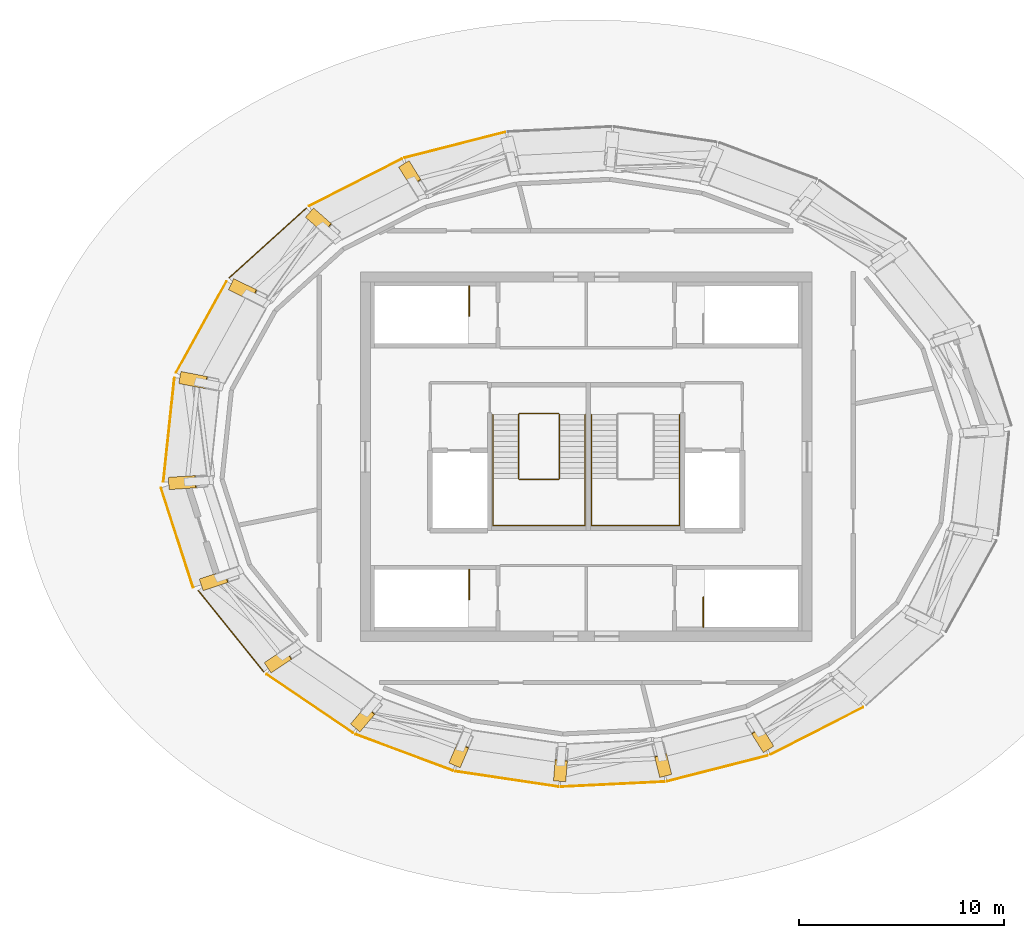
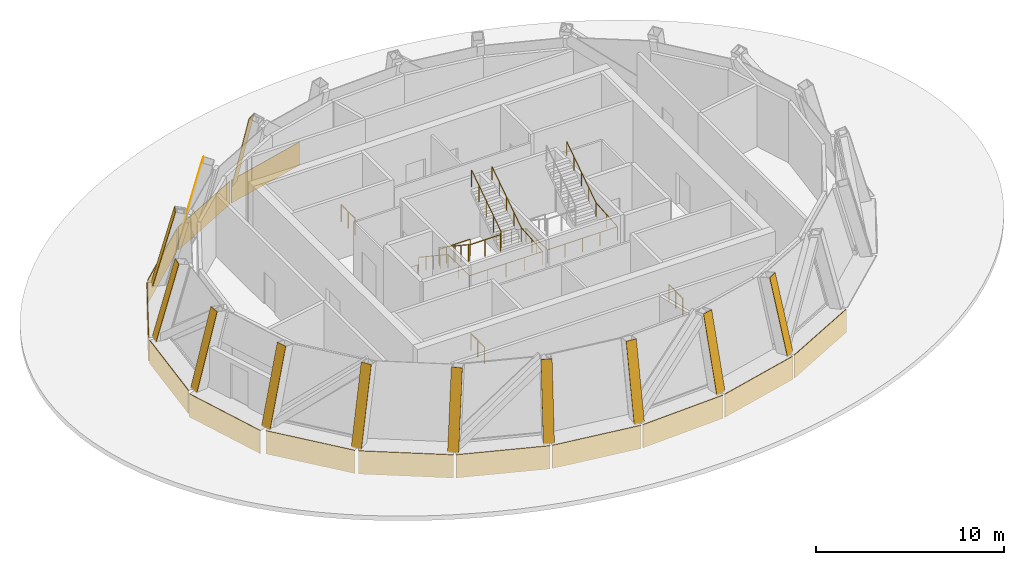
# One storey, part 8 of 9: 25 coverings, 6 railings.
"""IFC4 building model written with IfcOpenShell, lengths in metres."""

import ifcopenshell
import ifcopenshell.guid

model = None  # the IFC model being written
_history = None  # IfcOwnerHistory: only IFC2X3 demands one
_inside = {}  # id of a spatial element -> (the spatial element, [elements in it])
_under = {}  # id of a project, library or spatial element -> (it, [spatial elements below it])
_declared = {}  # id of a project -> (the project, [libraries it declares])
_typed = {}  # id of a type object -> (the type object, [elements of that type])
_made_of = {}  # id of a material, layer set ... -> (it, [elements and type objects made of it])


def new_model(schema):
    """Start an empty IFC model of exactly this schema.

    Asked for "IFC4X3", IfcOpenShell would pick the latest addendum, in which some entities
    have other attributes; the version numbers below select the first issue.
    IFC2X3 requires an IfcOwnerHistory on every rooted entity: one is made here for all.
    """
    global model, _history
    if schema == "IFC4X3":
        model = ifcopenshell.file(schema_version=(4, 3, 0, 0))
    else:
        model = ifcopenshell.file(schema=schema)
    _inside.clear()
    _under.clear()
    _declared.clear()
    _typed.clear()
    _made_of.clear()
    _history = None
    if model.schema == "IFC2X3":
        org = make("IfcOrganization", Name="unknown")
        user = make(
            "IfcPersonAndOrganization",
            ThePerson=make("IfcPerson", FamilyName="unknown"),
            TheOrganization=org,
        )
        app = make(
            "IfcApplication",
            ApplicationDeveloper=org,
            Version="unknown",
            ApplicationFullName="unknown",
            ApplicationIdentifier="unknown",
        )
        _history = make(
            "IfcOwnerHistory",
            OwningUser=user,
            OwningApplication=app,
            ChangeAction="ADDED",
            CreationDate=0,
        )
    return model


def make(cls, **values):
    """One entity of the class cls with the attributes given. An attribute that is None is left unset."""
    return model.create_entity(
        cls, **{name: value for name, value in values.items() if value is not None}
    )


def rooted(cls, **values):
    """An entity with a GlobalId (a new one), such as an element, a storey or a relation."""
    return make(cls, GlobalId=ifcopenshell.guid.new(), OwnerHistory=_history, **values)


def si_unit(unit_type, name, prefix=None):
    """IfcSIUnit, for example si_unit("LENGTHUNIT", "METRE", prefix="MILLI")."""
    return make("IfcSIUnit", UnitType=unit_type, Prefix=prefix, Name=name)


def assignment(units):
    """IfcUnitAssignment: the units of a project."""
    return None if units is None else make("IfcUnitAssignment", Units=units)


def point(xyz):
    """IfcCartesianPoint."""
    return None if xyz is None else make("IfcCartesianPoint", Coordinates=xyz)


def direction(xyz):
    """IfcDirection."""
    return None if xyz is None else make("IfcDirection", DirectionRatios=xyz)


def frame(location, z_axis=None, x_axis=None):
    """IfcAxis2Placement3D, a coordinate frame: its origin and axes. An axis left out is left unset."""
    return make(
        "IfcAxis2Placement3D",
        Location=point(location),
        Axis=direction(z_axis),
        RefDirection=direction(x_axis),
    )


def frame_2d(location, x_axis=None):
    """IfcAxis2Placement2D, a coordinate frame in the plane: its origin and x axis."""
    return make(
        "IfcAxis2Placement2D", Location=point(location), RefDirection=direction(x_axis)
    )


def origin():
    """The frame at (0, 0, 0) with its axes left unset."""
    return frame((0.0, 0.0, 0.0))


def origin_2d():
    """The frame at (0, 0) in the plane with its x axis left unset."""
    return frame_2d((0.0, 0.0))


def place(relative_to, where):
    """IfcLocalPlacement: puts the frame where relative to a parent placement (None: the world)."""
    return make(
        "IfcLocalPlacement", PlacementRelTo=relative_to, RelativePlacement=where
    )


def context(
    kind, dimensions, precision=None, world=None, true_north=None, identifier=None
):
    """IfcGeometricRepresentationContext, for example the 3D "Model" context."""
    return make(
        "IfcGeometricRepresentationContext",
        ContextIdentifier=identifier,
        ContextType=kind,
        CoordinateSpaceDimension=dimensions,
        Precision=precision,
        WorldCoordinateSystem=world,
        TrueNorth=true_north,
    )


def subcontext(parent, identifier, kind, view, scale=None):
    """IfcGeometricRepresentationSubContext, for example "Body" below "Model"."""
    return make(
        "IfcGeometricRepresentationSubContext",
        ContextIdentifier=identifier,
        ContextType=kind,
        ParentContext=parent,
        TargetScale=scale,
        TargetView=view,
    )


def project(units=None, contexts=None):
    """IfcProject with its units and contexts."""
    return rooted(
        "IfcProject",
        Name="project",
        RepresentationContexts=contexts,
        UnitsInContext=assignment(units),
    )


def spatial(cls, under=None, at=None, **own):
    """A site, building, storey or space (cls), placed at a placement, below another one or the project."""
    s = rooted(cls, ObjectPlacement=at, **own)
    if under is not None:
        _under.setdefault(under.id(), (under, []))[1].append(s)
    return s


def polyline(points):
    """IfcPolyline through the points."""
    return make("IfcPolyline", Points=[point(p) for p in points])


def profile(cls, at=None, kind="AREA", **sizes):
    """A parametric profile (cls). Its sizes go by their IFC names, for example OverallWidth=200.0."""
    return make(cls, ProfileType=kind, Position=at, **sizes)


def rectangle(**sizes):
    """IfcRectangleProfileDef."""
    return profile("IfcRectangleProfileDef", **sizes)


def circle(**sizes):
    """IfcCircleProfileDef."""
    return profile("IfcCircleProfileDef", **sizes)


def outline(outer, holes=None, kind="AREA"):
    """IfcArbitraryClosedProfileDef: a profile drawn as a closed curve; with holes, ...WithVoids."""
    if holes is None:
        return make("IfcArbitraryClosedProfileDef", ProfileType=kind, OuterCurve=outer)
    return make(
        "IfcArbitraryProfileDefWithVoids",
        ProfileType=kind,
        OuterCurve=outer,
        InnerCurves=holes,
    )


def extrude(swept, where, along, depth):
    """IfcExtrudedAreaSolid: the profile swept, set in the frame where, extruded along a direction by depth."""
    return make(
        "IfcExtrudedAreaSolid",
        SweptArea=swept,
        Position=where,
        ExtrudedDirection=direction(along),
        Depth=depth,
    )


def shape(context_of_items, identifier, shape_type, items):
    """IfcShapeRepresentation: the items that make up one representation, for example the "Body"."""
    return make(
        "IfcShapeRepresentation",
        ContextOfItems=context_of_items,
        RepresentationIdentifier=identifier,
        RepresentationType=shape_type,
        Items=items,
    )


def source(mapping_origin, context_of_items, identifier, shape_type, items):
    """IfcRepresentationMap: a shape defined once, which mapped items show again and again."""
    return make(
        "IfcRepresentationMap",
        MappingOrigin=mapping_origin,
        MappedRepresentation=shape(context_of_items, identifier, shape_type, items),
    )


def transform(
    local_origin,
    x_axis=None,
    y_axis=None,
    z_axis=None,
    scale=None,
    scale2=None,
    scale3=None,
    uniform=True,
):
    """IfcCartesianTransformationOperator3D, or its non-uniform kind. x_axis, y_axis, z_axis: its Axis1, 2, 3."""
    if uniform:
        return make(
            "IfcCartesianTransformationOperator3D",
            Axis1=direction(x_axis),
            Axis2=direction(y_axis),
            LocalOrigin=point(local_origin),
            Scale=scale,
            Axis3=direction(z_axis),
        )
    return make(
        "IfcCartesianTransformationOperator3DnonUniform",
        Axis1=direction(x_axis),
        Axis2=direction(y_axis),
        LocalOrigin=point(local_origin),
        Scale=scale,
        Axis3=direction(z_axis),
        Scale2=scale2,
        Scale3=scale3,
    )


def mapped(mapping_source, mapping_target):
    """IfcMappedItem: shows the shape of a source again, moved by a transform."""
    return make(
        "IfcMappedItem", MappingSource=mapping_source, MappingTarget=mapping_target
    )


def material(Name=None, Category=None):
    """IfcMaterial."""
    return make("IfcMaterial", Name=Name, Category=Category)


def layer(
    of_material, thickness, ventilated=None, Name=None, Category=None, Priority=None
):
    """IfcMaterialLayer: one layer of a wall or slab, of a material (None: an air gap)."""
    return make(
        "IfcMaterialLayer",
        Material=of_material,
        LayerThickness=thickness,
        IsVentilated=ventilated,
        Name=Name,
        Category=Category,
        Priority=Priority,
    )


def layer_set(layers, Name=None):
    """IfcMaterialLayerSet."""
    return make("IfcMaterialLayerSet", MaterialLayers=layers, LayerSetName=Name)


def made_of(thing, what):
    """Note that an element or type object is made of a material, layer set ...; save() writes the relation."""
    if what is not None:
        _made_of.setdefault(what.id(), (what, []))[1].append(thing)
    return thing


def type_object(cls, material=None, **own):
    """A type object (cls), such as IfcWallType, which elements share."""
    return made_of(rooted(cls, **own), material)


def element(
    cls,
    number,
    at=None,
    inside=None,
    cuts=None,
    type_object=None,
    material=None,
    context=None,
    identifier="Body",
    shape_type=None,
    held_by="IfcProductDefinitionShape",
    body=None,
    shapes=None,
    **own,
):
    """One element of the class cls, such as IfcWall. Its Tag is "e" and its number.

    at: its placement. inside: the storey or other place that contains it. cuts: it is an
    opening in that element (IfcRelVoidsElement). A single representation is given by context,
    identifier, shape_type and body (its items); several are given by shapes. held_by: the class
    of the entity that holds the representations. save() writes the other relations.
    """
    e = rooted(cls, Tag="e%d" % number, ObjectPlacement=at, **own)
    if body is not None:
        shapes = [shape(context, identifier, shape_type, body)]
    if shapes is not None:
        e.Representation = make(held_by, Representations=shapes)
    if inside is not None:
        _inside.setdefault(inside.id(), (inside, []))[1].append(e)
    if cuts is not None:
        rooted(
            "IfcRelVoidsElement", RelatingBuildingElement=cuts, RelatedOpeningElement=e
        )
    if type_object is not None:
        _typed.setdefault(type_object.id(), (type_object, []))[1].append(e)
    return made_of(e, material)


def aggregate(whole, parts):
    """IfcRelAggregates: a whole, such as a stair, and the parts it consists of."""
    return rooted("IfcRelAggregates", RelatingObject=whole, RelatedObjects=parts)


def save(model, path):
    """Write the relations noted so far, then the file.

    IfcRelAggregates (storeys below a building ...), IfcRelContainedInSpatialStructure (elements
    in a storey), IfcRelDefinesByType, IfcRelAssociatesMaterial and IfcRelDeclares: one each for
    every whole, place, type object, material and project.
    """
    for whole, parts in _under.values():
        aggregate(whole, parts)
    for where, things in _inside.values():
        rooted(
            "IfcRelContainedInSpatialStructure",
            RelatedElements=things,
            RelatingStructure=where,
        )
    for kind, things in _typed.values():
        rooted("IfcRelDefinesByType", RelatedObjects=things, RelatingType=kind)
    for what, things in _made_of.values():
        rooted("IfcRelAssociatesMaterial", RelatedObjects=things, RelatingMaterial=what)
    for by, libraries in _declared.values():
        rooted("IfcRelDeclares", RelatingContext=by, RelatedDefinitions=libraries)
    model.write(path)


model = new_model("IFC4")

# Units and contexts
model_context = context("Model", 3, precision=1e-05, world=origin(), true_north=direction((0.0, 1.0)))
body_context = subcontext(model_context, "Body", "Model", "MODEL_VIEW")
ifc_project = project(units=[si_unit("LENGTHUNIT", "METRE"), si_unit("AREAUNIT", "SQUARE_METRE"), si_unit("VOLUMEUNIT", "CUBIC_METRE"), si_unit("PLANEANGLEUNIT", "RADIAN"), si_unit("MASSUNIT", "GRAM", prefix="KILO")], contexts=[model_context])

# Site, building, storey
site_placement = place(None, origin())
site = spatial("IfcSite", under=ifc_project, at=site_placement, CompositionType="ELEMENT")
building_placement = place(site_placement, origin())
building = spatial("IfcBuilding", under=site, at=building_placement, Name="Embergate Tower", CompositionType="ELEMENT")
storey_placement = place(building_placement, frame((0.0, 0.0, 352.0)))
storey = spatial("IfcBuildingStorey", under=building, at=storey_placement, Name="L80", CompositionType="ELEMENT", Elevation=352.0)

# Coverings
ifc_material_1 = material(Name="Terracotta rainscreen on insulated backing", Category="masonry")
ifc_layer_1 = layer(ifc_material_1, 0.0400390625)
ifc_layer_set_1 = layer_set([ifc_layer_1], Name="Terracotta rainscreen on insulated backing")
covering_type_1 = type_object("IfcCoveringType", Name="Terracotta rainscreen band", PredefinedType="CLADDING", material=ifc_layer_set_1)
shared_shape_1 = source(origin(), body_context, "Body", "SweptSolid", [
    extrude(rectangle(XDim=5.09375, YDim=0.0400390625, at=origin_2d()), origin(), (0.0, 0.0, 1.0), 1.5),
])
covering_1_placement = place(storey_placement, frame((-19.922119140625, -3.942138671875, -1.5), z_axis=(0.0, 0.0, 1.0), x_axis=(0.307437998108, -0.951568114913, 0.0)))
element("IfcCovering", 1, at=covering_1_placement, inside=storey, type_object=covering_type_1, Name="Crown band 12", PredefinedType="CLADDING", context=body_context, shape_type="MappedRepresentation", body=[
    mapped(shared_shape_1, transform((0.0, 0.0, 0.0))),
])
shared_shape_2 = source(origin(), body_context, "Body", "SweptSolid", [
    extrude(rectangle(XDim=5.083740234375, YDim=0.0400390625, at=origin_2d()), origin(), (0.0, 0.0, 1.0), 1.5),
])
covering_2_placement = place(storey_placement, frame((-17.291259765625, -8.49609375, -1.5), z_axis=(0.0, 0.0, 1.0), x_axis=(0.62828627661, -0.777982232846, 0.0)))
element("IfcCovering", 2, at=covering_2_placement, inside=storey, type_object=covering_type_1, Name="Crown band 13", PredefinedType="CLADDING", context=body_context, shape_type="MappedRepresentation", body=[
    mapped(shared_shape_2, transform((0.0, 0.0, 0.0))),
])
shared_shape_3 = source(origin(), body_context, "Body", "SweptSolid", [
    extrude(rectangle(XDim=5.0732421875, YDim=0.0400390625, at=origin_2d()), origin(), (0.0, 0.0, 1.0), 1.5),
])
covering_3_placement = place(storey_placement, frame((-13.463134765625, -12.023193359375, -1.5), z_axis=(0.0, 0.0, 1.0), x_axis=(0.826890208879, -0.562363390043, 0.0)))
element("IfcCovering", 3, at=covering_3_placement, inside=storey, type_object=covering_type_1, Name="Crown band 14", PredefinedType="CLADDING", context=body_context, shape_type="MappedRepresentation", body=[
    mapped(shared_shape_3, transform((0.0, 0.0, 0.0))),
])
shared_shape_4 = source(origin(), body_context, "Body", "SweptSolid", [
    extrude(rectangle(XDim=5.064453125, YDim=0.0400390625, at=origin_2d()), origin(), (0.0, 0.0, 1.0), 1.5),
])
covering_4_placement = place(storey_placement, frame((-8.861083984375, -14.40283203125, -1.5), z_axis=(0.0, 0.0, 1.0), x_axis=(0.936936583117, -0.349499412327, 0.0)))
element("IfcCovering", 4, at=covering_4_placement, inside=storey, type_object=covering_type_1, Name="Crown band 15", PredefinedType="CLADDING", context=body_context, shape_type="MappedRepresentation", body=[
    mapped(shared_shape_4, transform((0.0, 0.0, 0.0))),
])
shared_shape_5 = source(origin(), body_context, "Body", "SweptSolid", [
    extrude(rectangle(XDim=5.061279296875, YDim=0.0400390625, at=origin_2d()), origin(), (0.0, 0.0, 1.0), 1.5),
])
covering_5_placement = place(storey_placement, frame((-3.8603515625, -15.693115234375, -1.5), z_axis=(0.0, 0.0, 1.0), x_axis=(0.989077948107, -0.147393393912, 0.0)))
element("IfcCovering", 5, at=covering_5_placement, inside=storey, type_object=covering_type_1, Name="Crown band 16", PredefinedType="CLADDING", context=body_context, shape_type="MappedRepresentation", body=[
    mapped(shared_shape_5, transform((0.0, 0.0, 0.0))),
])
shared_shape_6 = source(origin(), body_context, "Body", "SweptSolid", [
    extrude(rectangle(XDim=5.05908203125, YDim=0.0400390625, at=origin_2d()), origin(), (0.0, 0.0, 1.0), 1.5),
])
covering_6_placement = place(storey_placement, frame((1.291015625, -15.9482421875, -1.5), z_axis=(0.0, 0.0, 1.0), x_axis=(0.998797767356, 0.049020607146, 0.0)))
element("IfcCovering", 6, at=covering_6_placement, inside=storey, type_object=covering_type_1, Name="Crown band 17", PredefinedType="CLADDING", context=body_context, shape_type="MappedRepresentation", body=[
    mapped(shared_shape_6, transform((0.0, 0.0, 0.0))),
])
shared_shape_7 = source(origin(), body_context, "Body", "SweptSolid", [
    extrude(rectangle(XDim=5.062255859375, YDim=0.0400390625, at=origin_2d()), origin(), (0.0, 0.0, 1.0), 1.5),
])
for number, where, z_axis, x_axis, name in (
    (7, (-6.392822265625, 15.1796875, -1.5), (0.0, 0.0, 1.0), (-0.968933770154, -0.247320336921, 0.0), "Crown band 7"),
    (8, (6.392822265625, -15.1796875, -1.5), (0.0, 0.0, 1.0), (0.968933770154, 0.247320336921, 0.0), "Crown band 18"),
):
    element("IfcCovering", number, at=place(storey_placement, frame(where, z_axis=z_axis, x_axis=x_axis)), inside=storey, type_object=covering_type_1, Name=name, PredefinedType="CLADDING", context=body_context, shape_type="MappedRepresentation", body=[
        mapped(shared_shape_7, transform((0.0, 0.0, 0.0))),
    ])
shared_shape_8 = source(origin(), body_context, "Body", "SweptSolid", [
    extrude(rectangle(XDim=5.06884765625, YDim=0.0400390625, at=origin_2d()), origin(), (0.0, 0.0, 1.0), 1.5),
])
for number, where, z_axis, x_axis, name in (
    (9, (-11.231201171875, 13.353271484375, -1.5), (0.0, 0.0, 1.0), (-0.890727444318, -0.454537809142, 0.0), "Crown band 8"),
    (10, (11.231201171875, -13.353271484375, -1.5), (0.0, 0.0, 1.0), (0.890727444318, 0.454537809142, 0.0), "Crown band 19"),
):
    element("IfcCovering", number, at=place(storey_placement, frame(where, z_axis=z_axis, x_axis=x_axis)), inside=storey, type_object=covering_type_1, Name=name, PredefinedType="CLADDING", context=body_context, shape_type="MappedRepresentation", body=[
        mapped(shared_shape_8, transform((0.0, 0.0, 0.0))),
    ])
shared_shape_9 = source(origin(), body_context, "Body", "SweptSolid", [
    extrude(rectangle(XDim=5.078369140625, YDim=0.0400390625, at=origin_2d()), origin(), (0.0, 0.0, 1.0), 1.5),
])
covering_7_placement = place(storey_placement, frame((-15.505126953125, 10.404052734375, -1.5), z_axis=(0.0, 0.0, 1.0), x_axis=(-0.741194871554, -0.671289924237, 0.0)))
element("IfcCovering", 11, at=covering_7_placement, inside=storey, type_object=covering_type_1, Name="Crown band 9", PredefinedType="CLADDING", context=body_context, shape_type="MappedRepresentation", body=[
    mapped(shared_shape_9, transform((0.0, 0.0, 0.0))),
])
shared_shape_10 = source(origin(), body_context, "Body", "SweptSolid", [
    extrude(rectangle(XDim=5.089111328125, YDim=0.0400390625, at=origin_2d()), origin(), (0.0, 0.0, 1.0), 1.5),
])
covering_8_placement = place(storey_placement, frame((-18.74462890625, 6.31298828125, -1.5), z_axis=(0.0, 0.0, 1.0), x_axis=(-0.483772786988, -0.87519363033, 0.0)))
element("IfcCovering", 12, at=covering_8_placement, inside=storey, type_object=covering_type_1, Name="Crown band 10", PredefinedType="CLADDING", context=body_context, shape_type="MappedRepresentation", body=[
    mapped(shared_shape_10, transform((0.0, 0.0, 0.0))),
])
shared_shape_11 = source(origin(), body_context, "Body", "SweptSolid", [
    extrude(rectangle(XDim=5.0966796875, YDim=0.0400390625, at=origin_2d()), origin(), (0.0, 0.0, 1.0), 1.5),
])
covering_9_placement = place(storey_placement, frame((-20.319091796875, 1.317626953125, -1.5), z_axis=(0.0, 0.0, 1.0), x_axis=(-0.105757307005, -0.994391971013, 0.0)))
element("IfcCovering", 13, at=covering_9_placement, inside=storey, type_object=covering_type_1, Name="Crown band 11", PredefinedType="CLADDING", context=body_context, shape_type="MappedRepresentation", body=[
    mapped(shared_shape_11, transform((0.0, 0.0, 0.0))),
])
ifc_material_2 = material(Name="Terracotta, extruded and fired", Category="masonry")
ifc_layer_2 = layer(ifc_material_2, 0.030029296875)
ifc_layer_set_2 = layer_set([ifc_layer_2], Name="Terracotta, extruded and fired")
covering_type_2 = type_object("IfcCoveringType", Name="Terracotta hip facing", PredefinedType="CLADDING", material=ifc_layer_set_2)
shared_shape_12 = source(origin(), body_context, "Body", "SweptSolid", [
    extrude(outline(polyline([(0.0, 0.0), (4.964111328125, 0.0), (4.964111328125, -0.599853515625), (0.0, -0.599853515625), (0.0, 0.0)])), origin(), (0.0, 0.0, -1.0), 0.030029296875),
])
covering_10_placement = place(storey_placement, frame((-20.348388671875, -1.00634765625, -0.058349609375), z_axis=(-0.962890864986, -0.063027725869, 0.262428443385), x_axis=(0.261869830927, 0.017113744311, 0.964951455466)))
element("IfcCovering", 14, at=covering_10_placement, inside=storey, type_object=covering_type_2, Name="Hip facing L80-HP11", PredefinedType="CLADDING", context=body_context, shape_type="MappedRepresentation", body=[
    mapped(shared_shape_12, transform((0.0, 0.0, 0.0))),
])
shared_shape_13 = source(origin(), body_context, "Body", "SweptSolid", [
    extrude(outline(polyline([(0.0, 0.0), (4.9541015625, 0.0), (4.9541015625, -0.60009765625), (0.0, -0.599853515625), (0.0, 0.0)])), origin(), (0.0, 0.0, -1.0), 0.030029296875),
])
covering_11_placement = place(storey_placement, frame((-18.839599609375, -5.95751953125, -0.060791015625), z_axis=(-0.917188173531, -0.306057215958, 0.255136894422), x_axis=(0.24201452627, 0.080770069283, 0.966904941027)))
element("IfcCovering", 15, at=covering_11_placement, inside=storey, type_object=covering_type_2, Name="Hip facing L80-HP12", PredefinedType="CLADDING", context=body_context, shape_type="MappedRepresentation", body=[
    mapped(shared_shape_13, transform((0.0, 0.0, 0.0))),
])
shared_shape_14 = source(origin(), body_context, "Body", "SweptSolid", [
    extrude(outline(polyline([(0.0, 0.0), (4.937255859375, 0.0), (4.937255859375, -0.60009765625), (0.0, -0.599853515625), (0.0, 0.0)])), origin(), (0.0, 0.0, -1.0), 0.030029296875),
])
covering_12_placement = place(storey_placement, frame((-15.6748046875, -10.031005859375, -0.06640625), z_axis=(-0.809043095411, -0.536136686366, 0.240845849663), x_axis=(0.200729909669, 0.133094817169, 0.970563379181)))
element("IfcCovering", 16, at=covering_12_placement, inside=storey, type_object=covering_type_2, Name="Hip facing L80-HP13", PredefinedType="CLADDING", context=body_context, shape_type="MappedRepresentation", body=[
    mapped(shared_shape_14, transform((0.0, 0.0, 0.0))),
])
shared_shape_15 = source(origin(), body_context, "Body", "SweptSolid", [
    extrude(outline(polyline([(0.0, 0.0), (4.918701171875, 0.0), (4.918701171875, -0.60009765625), (0.0, -0.60009765625), (0.0, 0.0)])), origin(), (0.0, 0.0, -1.0), 0.030029296875),
])
covering_13_placement = place(storey_placement, frame((-11.475830078125, -13.013671875, -0.071533203125), z_axis=(-0.630964897671, -0.742334958127, 0.225437591916), x_axis=(0.145979805997, 0.171790584344, 0.974257610374)))
element("IfcCovering", 17, at=covering_13_placement, inside=storey, type_object=covering_type_2, Name="Hip facing L80-HP14", PredefinedType="CLADDING", context=body_context, shape_type="MappedRepresentation", body=[
    mapped(shared_shape_15, transform((0.0, 0.0, 0.0))),
])
shared_shape_16 = source(origin(), body_context, "Body", "SweptSolid", [
    extrude(outline(polyline([(0.0, 0.0), (4.906005859375, 0.0), (4.906005859375, -0.599853515625), (0.0, -0.60009765625), (0.0, 0.0)])), origin(), (0.0, 0.0, -1.0), 0.030029296875),
])
covering_14_placement = place(storey_placement, frame((-6.687744140625, -14.914306640625, -0.076904296875), z_axis=(-0.384474272038, -0.898365685284, 0.212411463075), x_axis=(0.083600901057, 0.195267815611, 0.97718031577)))
element("IfcCovering", 18, at=covering_14_placement, inside=storey, type_object=covering_type_2, Name="Hip facing L80-HP15", PredefinedType="CLADDING", context=body_context, shape_type="MappedRepresentation", body=[
    mapped(shared_shape_16, transform((0.0, 0.0, 0.0))),
])
shared_shape_17 = source(origin(), body_context, "Body", "SweptSolid", [
    extrude(outline(polyline([(0.0, 0.0), (4.8994140625, 0.0), (4.8994140625, -0.599853515625), (0.0, -0.599853515625), (0.0, 0.0)])), origin(), (0.0, 0.0, -1.0), 0.030029296875),
])
covering_15_placement = place(storey_placement, frame((-1.594482421875, -15.78125, -0.078857421875), z_axis=(-0.080235361337, -0.975168237789, 0.206419947676), x_axis=(0.016940191654, 0.205723661449, 0.978463491923)))
element("IfcCovering", 19, at=covering_15_placement, inside=storey, type_object=covering_type_2, Name="Hip facing L80-HP16", PredefinedType="CLADDING", context=body_context, shape_type="MappedRepresentation", body=[
    mapped(shared_shape_17, transform((0.0, 0.0, 0.0))),
])
shared_shape_18 = source(origin(), body_context, "Body", "SweptSolid", [
    extrude(outline(polyline([(0.0, 0.0), (4.901611328125, 0.0), (4.901611328125, -0.60009765625), (0.0, -0.599853515625), (0.0, 0.0)])), origin(), (0.0, 0.0, -1.0), 0.030029296875),
])
covering_16_placement = place(storey_placement, frame((3.582275390625, -15.620849609375, -0.078125), z_axis=(0.237163385132, -0.948852503098, 0.208404549179), x_axis=(-0.050604126871, 0.20216746336, 0.97804270822)))
element("IfcCovering", 20, at=covering_16_placement, inside=storey, type_object=covering_type_2, Name="Hip facing L80-HP17", PredefinedType="CLADDING", context=body_context, shape_type="MappedRepresentation", body=[
    mapped(shared_shape_18, transform((0.0, 0.0, 0.0))),
])
shared_shape_19 = source(origin(), body_context, "Body", "SweptSolid", [
    extrude(outline(polyline([(0.0, 0.0), (4.910400390625, 0.0), (4.910400390625, -0.60009765625), (0.0, -0.60009765625), (0.0, 0.0)])), origin(), (0.0, 0.0, -1.0), 0.030029296875),
])
for number, where, z_axis, x_axis, name in (
    (21, (-8.624267578125, 14.412841796875, -0.073974609375), (-0.515403982749, 0.82869654237, 0.218221848656), (0.115250372801, -0.185305495872, 0.97589918781), "Hip facing L80-HP07"),
    (22, (8.624267578125, -14.412841796875, -0.073974609375), (0.515403982749, -0.82869654237, 0.218221848656), (-0.115250372801, 0.185305495872, 0.97589918781), "Hip facing L80-HP18"),
):
    element("IfcCovering", number, at=place(storey_placement, frame(where, z_axis=z_axis, x_axis=x_axis)), inside=storey, type_object=covering_type_2, Name=name, PredefinedType="CLADDING", context=body_context, shape_type="MappedRepresentation", body=[
        mapped(shared_shape_19, transform((0.0, 0.0, 0.0))),
    ])
shared_shape_20 = source(origin(), body_context, "Body", "SweptSolid", [
    extrude(outline(polyline([(0.0, 0.0), (4.927490234375, 0.0), (4.927490234375, -0.60009765625), (0.0, -0.60009765625), (0.0, 0.0)])), origin(), (0.0, 0.0, -1.0), 0.030029296875),
])
covering_17_placement = place(storey_placement, frame((-13.275390625, 12.109375, -0.069091796875), z_axis=(-0.729613112149, 0.642961663364, 0.232948505092), x_axis=(0.174748774861, -0.154038542966, 0.972489070872)))
element("IfcCovering", 23, at=covering_17_placement, inside=storey, type_object=covering_type_2, Name="Hip facing L80-HP08", PredefinedType="CLADDING", context=body_context, shape_type="MappedRepresentation", body=[
    mapped(shared_shape_20, transform((0.0, 0.0, 0.0))),
])
shared_shape_21 = source(origin(), body_context, "Body", "SweptSolid", [
    extrude(outline(polyline([(0.0, 0.0), (4.945556640625, 0.0), (4.945556640625, -0.599853515625), (0.0, -0.60009765625), (0.0, 0.0)])), origin(), (0.0, 0.0, -1.0), 0.030029296875),
])
covering_18_placement = place(storey_placement, frame((-17.16162109375, 8.665283203125, -0.06298828125), z_axis=(-0.871445875169, 0.422716282731, 0.248783100239), x_axis=(0.223845033307, -0.108565336215, 0.968559223195)))
element("IfcCovering", 24, at=covering_18_placement, inside=storey, type_object=covering_type_2, Name="Hip facing L80-HP09", PredefinedType="CLADDING", context=body_context, shape_type="MappedRepresentation", body=[
    mapped(shared_shape_21, transform((0.0, 0.0, 0.0))),
])
shared_shape_22 = source(origin(), body_context, "Body", "SweptSolid", [
    extrude(outline(polyline([(0.0, 0.0), (4.96044921875, 0.0), (4.960205078125, -0.60009765625), (0.0, -0.599853515625), (0.0, 0.0)])), origin(), (0.0, 0.0, -1.0), 0.030029296875),
])
covering_19_placement = place(storey_placement, frame((-19.7265625, 4.148193359375, -0.059326171875), z_axis=(-0.947879291917, 0.184468115049, 0.259800620641), x_axis=(0.255029930709, -0.049559072546, 0.965662276767)))
element("IfcCovering", 25, at=covering_19_placement, inside=storey, type_object=covering_type_2, Name="Hip facing L80-HP10", PredefinedType="CLADDING", context=body_context, shape_type="MappedRepresentation", body=[
    mapped(shared_shape_22, transform((0.0, 0.0, 0.0))),
])

# Railings
ifc_material_3 = material(Name="Stair guard 1100")
railing_type_1 = type_object("IfcRailingType", Name="Stair guard 1100", PredefinedType="GUARDRAIL", material=ifc_material_3)
shared_shape_23 = source(origin(), body_context, "Body", "SweptSolid", [
    extrude(circle(Radius=0.02392578125, at=origin_2d()), frame((0.0, 0.0, 1.076171875), z_axis=(0.0, -1.0, 0.0), x_axis=(1.0, 0.0, 0.0)), (0.0, 0.0, 1.0), 1.449951171875),
    extrude(circle(Radius=0.02099609375, at=origin_2d()), origin(), (0.0, 0.0, 1.0), 1.052001953125),
    extrude(circle(Radius=0.02099609375, at=origin_2d()), frame((0.0, -0.72509765625, 0.0)), (0.0, 0.0, 1.0), 1.052001953125),
    extrude(circle(Radius=0.02099609375, at=origin_2d()), frame((0.0, -1.449951171875, 0.0)), (0.0, 0.0, 1.0), 1.052001953125),
])
for number, where, name in (
    (26, (-5.699951171875, 8.300048828125, 0.0), "L80 ST1 top well guard 1"),
    (27, (-5.699951171875, -5.5, 0.0), "L80 ST3 top well guard 1"),
):
    element("IfcRailing", number, at=place(storey_placement, frame(where)), inside=storey, type_object=railing_type_1, Name=name, PredefinedType="GUARDRAIL", context=body_context, shape_type="MappedRepresentation", body=[
        mapped(shared_shape_23, transform((0.0, 0.0, 0.0))),
    ])
shared_shape_24 = source(origin(), body_context, "Body", "SweptSolid", [
    extrude(circle(Radius=0.02392578125, at=origin_2d()), frame((0.0, 0.0, 1.076171875), z_axis=(0.0, 1.0, 0.0), x_axis=(-1.0, 0.0, 0.0)), (0.0, 0.0, 1.0), 1.449951171875),
    extrude(circle(Radius=0.02099609375, at=origin_2d()), origin(), (0.0, 0.0, 1.0), 1.052001953125),
    extrude(circle(Radius=0.02099609375, at=origin_2d()), frame((0.0, 0.72509765625, 0.0)), (0.0, 0.0, 1.0), 1.052001953125),
    extrude(circle(Radius=0.02099609375, at=origin_2d()), frame((0.0, 1.449951171875, 0.0)), (0.0, 0.0, 1.0), 1.052001953125),
])
railing_1_placement = place(storey_placement, frame((5.699951171875, -8.300048828125, 0.0)))
element("IfcRailing", 28, at=railing_1_placement, inside=storey, type_object=railing_type_1, Name="L80 ST4 top well guard 1", PredefinedType="GUARDRAIL", context=body_context, shape_type="MappedRepresentation", body=[
    mapped(shared_shape_24, transform((0.0, 0.0, 0.0))),
])
ifc_material_4 = material(Name="Stair handrail 900")
railing_type_2 = type_object("IfcRailingType", Name="Stair handrail 900", PredefinedType="HANDRAIL", material=ifc_material_4)
shared_shape_25 = source(origin(), body_context, "Body", "SweptSolid", [
    extrude(circle(Radius=0.02392578125, at=origin_2d()), frame((0.0, 0.0, 0.8759765625), z_axis=(0.0, -0.83244090515, 0.554113832559), x_axis=(1.0, 0.0, 0.0)), (0.0, 0.0, 1.0), 3.748046875),
    extrude(circle(Radius=0.02392578125, at=origin_2d()), frame((0.0, -3.1201171875, 2.95263671875), z_axis=(0.0, -1.0, 0.0), x_axis=(1.0, 0.0, 0.0)), (0.0, 0.0, 1.0), 2.280029296875),
    extrude(circle(Radius=0.02392578125, at=origin_2d()), frame((0.0, -5.400146484375, 2.95263671875), z_axis=(1.0, 0.0, 0.0), x_axis=(0.0, 1.0, 0.0)), (0.0, 0.0, 1.0), 4.300048828125),
    extrude(circle(Radius=0.02392578125, at=origin_2d()), frame((4.300048828125, -5.400146484375, 2.95263671875), z_axis=(0.0, 0.997130611527, 0.075700353739), x_axis=(-1.0, 0.0, 0.0)), (0.0, 0.0, 1.0), 2.28662109375),
    extrude(circle(Radius=0.02392578125, at=origin_2d()), frame((4.300048828125, -3.1201171875, 3.1259765625), z_axis=(0.0, 0.83244090515, 0.554113832559), x_axis=(-1.0, 0.0, 0.0)), (0.0, 0.0, 1.0), 3.748046875),
    extrude(circle(Radius=0.02099609375, at=origin_2d()), origin(), (0.0, 0.0, 1.0), 0.851806640625),
    extrude(circle(Radius=0.02099609375, at=origin_2d()), frame((0.0, -0.780029296875, 0.519287109375)), (0.0, 0.0, 1.0), 0.851806640625),
    extrude(circle(Radius=0.02099609375, at=origin_2d()), frame((0.0, -1.56005859375, 1.03857421875)), (0.0, 0.0, 1.0), 0.851806640625),
    extrude(circle(Radius=0.02099609375, at=origin_2d()), frame((0.0, -2.340087890625, 1.5576171875)), (0.0, 0.0, 1.0), 0.851806640625),
    extrude(circle(Radius=0.02099609375, at=origin_2d()), frame((0.0, -3.1201171875, 2.076904296875)), (0.0, 0.0, 1.0), 0.851806640625),
    extrude(circle(Radius=0.02099609375, at=origin_2d()), frame((0.0, -4.26025390625, 2.076904296875)), (0.0, 0.0, 1.0), 0.851806640625),
    extrude(circle(Radius=0.02099609375, at=origin_2d()), frame((0.0, -5.400146484375, 2.076904296875)), (0.0, 0.0, 1.0), 0.851806640625),
    extrude(circle(Radius=0.02099609375, at=origin_2d()), frame((1.074951171875, -5.400146484375, 2.076904296875)), (0.0, 0.0, 1.0), 0.851806640625),
    extrude(circle(Radius=0.02099609375, at=origin_2d()), frame((2.14990234375, -5.400146484375, 2.076904296875)), (0.0, 0.0, 1.0), 0.851806640625),
    extrude(circle(Radius=0.02099609375, at=origin_2d()), frame((3.22509765625, -5.400146484375, 2.076904296875)), (0.0, 0.0, 1.0), 0.851806640625),
    extrude(circle(Radius=0.02099609375, at=origin_2d()), frame((4.300048828125, -5.400146484375, 2.076904296875)), (0.0, 0.0, 1.0), 0.851806640625),
    extrude(circle(Radius=0.02099609375, at=origin_2d()), frame((4.300048828125, -4.26025390625, 2.16357421875)), (0.0, 0.0, 1.0), 0.851806640625),
    extrude(circle(Radius=0.02099609375, at=origin_2d()), frame((4.300048828125, -3.1201171875, 2.25)), (0.0, 0.0, 1.0), 0.851806640625),
    extrude(circle(Radius=0.02099609375, at=origin_2d()), frame((4.300048828125, -2.340087890625, 2.769287109375)), (0.0, 0.0, 1.0), 0.851806640625),
    extrude(circle(Radius=0.02099609375, at=origin_2d()), frame((4.300048828125, -1.56005859375, 3.28857421875)), (0.0, 0.0, 1.0), 0.851806640625),
    extrude(circle(Radius=0.02099609375, at=origin_2d()), frame((4.300048828125, -0.780029296875, 3.8076171875)), (0.0, 0.0, 1.0), 0.851806640625),
    extrude(circle(Radius=0.02099609375, at=origin_2d()), frame((4.300048828125, 0.0, 4.326904296875)), (0.0, 0.0, 1.0), 0.851806640625),
])
railing_2_placement = place(storey_placement, frame((0.25, 2.050048828125, 0.173095703125)))
element("IfcRailing", 29, at=railing_2_placement, inside=storey, type_object=railing_type_2, Name="L80 ST1 stair handrail 1", PredefinedType="HANDRAIL", context=body_context, shape_type="MappedRepresentation", body=[
    mapped(shared_shape_25, transform((0.0, 0.0, 0.0))),
])
shared_shape_26 = source(origin(), body_context, "Body", "SweptSolid", [
    extrude(circle(Radius=0.02392578125, at=origin_2d()), frame((0.0, 0.0, 1.076171875), z_axis=(-1.0, 0.0, 0.0), x_axis=(0.0, -1.0, 0.0)), (0.0, 0.0, 1.0), 1.89990234375),
    extrude(circle(Radius=0.02392578125, at=origin_2d()), frame((-1.89990234375, 0.0, 1.076171875), z_axis=(-0.267629722418, -0.267629722418, 0.925607186314), x_axis=(0.707106781187, -0.707106781187, 0.0)), (0.0, 0.0, 1.0), 0.18701171875),
    extrude(circle(Radius=0.02392578125, at=origin_2d()), frame((-1.949951171875, -0.050048828125, 1.2490234375), z_axis=(0.0, -0.83244090515, 0.554113832559), x_axis=(1.0, 0.0, 0.0)), (0.0, 0.0, 1.0), 3.748046875),
    extrude(circle(Radius=0.02392578125, at=origin_2d()), frame((-1.949951171875, -3.170166015625, 3.326171875), z_axis=(0.707106781187, -0.707106781187, 0.0), x_axis=(0.707106781187, 0.707106781187, 0.0)), (0.0, 0.0, 1.0), 0.07080078125),
    extrude(circle(Radius=0.02392578125, at=origin_2d()), frame((-1.89990234375, -3.22021484375, 3.326171875), z_axis=(1.0, 0.0, 0.0), x_axis=(0.0, 1.0, 0.0)), (0.0, 0.0, 1.0), 1.89990234375),
    extrude(circle(Radius=0.02392578125, at=origin_2d()), frame((0.0, -3.22021484375, 3.326171875), z_axis=(0.267629722418, 0.267629722418, 0.925607186314), x_axis=(-0.707106781187, 0.707106781187, 0.0)), (0.0, 0.0, 1.0), 0.18701171875),
    extrude(circle(Radius=0.02392578125, at=origin_2d()), frame((0.050048828125, -3.170166015625, 3.4990234375), z_axis=(0.0, 0.83244090515, 0.554113832559), x_axis=(-1.0, 0.0, 0.0)), (0.0, 0.0, 1.0), 3.748046875),
    extrude(circle(Radius=0.02099609375, at=origin_2d()), origin(), (0.0, 0.0, 1.0), 1.052001953125),
    extrude(circle(Radius=0.02099609375, at=origin_2d()), frame((-0.949951171875, 0.0, 0.0)), (0.0, 0.0, 1.0), 1.052001953125),
    extrude(circle(Radius=0.02099609375, at=origin_2d()), frame((-1.89990234375, 0.0, 0.0)), (0.0, 0.0, 1.0), 1.052001953125),
    extrude(circle(Radius=0.02099609375, at=origin_2d()), frame((-1.949951171875, -0.050048828125, 0.173095703125)), (0.0, 0.0, 1.0), 1.052001953125),
    extrude(circle(Radius=0.02099609375, at=origin_2d()), frame((-1.949951171875, -0.830078125, 0.6923828125)), (0.0, 0.0, 1.0), 1.052001953125),
    extrude(circle(Radius=0.02099609375, at=origin_2d()), frame((-1.949951171875, -1.610107421875, 1.21142578125)), (0.0, 0.0, 1.0), 1.052001953125),
    extrude(circle(Radius=0.02099609375, at=origin_2d()), frame((-1.949951171875, -2.39013671875, 1.730712890625)), (0.0, 0.0, 1.0), 1.052001953125),
    extrude(circle(Radius=0.02099609375, at=origin_2d()), frame((-1.949951171875, -3.170166015625, 2.25)), (0.0, 0.0, 1.0), 1.052001953125),
    extrude(circle(Radius=0.02099609375, at=origin_2d()), frame((-1.89990234375, -3.22021484375, 2.25)), (0.0, 0.0, 1.0), 1.052001953125),
    extrude(circle(Radius=0.02099609375, at=origin_2d()), frame((-0.949951171875, -3.22021484375, 2.25)), (0.0, 0.0, 1.0), 1.052001953125),
    extrude(circle(Radius=0.02099609375, at=origin_2d()), frame((0.0, -3.22021484375, 2.25)), (0.0, 0.0, 1.0), 1.052001953125),
    extrude(circle(Radius=0.02099609375, at=origin_2d()), frame((0.050048828125, -3.170166015625, 2.423095703125)), (0.0, 0.0, 1.0), 1.052001953125),
    extrude(circle(Radius=0.02099609375, at=origin_2d()), frame((0.050048828125, -2.39013671875, 2.9423828125)), (0.0, 0.0, 1.0), 1.052001953125),
    extrude(circle(Radius=0.02099609375, at=origin_2d()), frame((0.050048828125, -1.610107421875, 3.46142578125)), (0.0, 0.0, 1.0), 1.052001953125),
    extrude(circle(Radius=0.02099609375, at=origin_2d()), frame((0.050048828125, -0.830078125, 3.980712890625)), (0.0, 0.0, 1.0), 1.052001953125),
    extrude(circle(Radius=0.02099609375, at=origin_2d()), frame((0.050048828125, -0.050048828125, 4.5)), (0.0, 0.0, 1.0), 1.052001953125),
])
railing_3_placement = place(storey_placement, frame((-1.35009765625, 2.10009765625, 0.0)))
element("IfcRailing", 30, at=railing_3_placement, inside=storey, type_object=railing_type_1, Name="L80 ST3 stair guard 1", PredefinedType="GUARDRAIL", context=body_context, shape_type="MappedRepresentation", body=[
    mapped(shared_shape_26, transform((0.0, 0.0, 0.0))),
])
shared_shape_27 = source(origin(), body_context, "Body", "SweptSolid", [
    extrude(circle(Radius=0.02392578125, at=origin_2d()), frame((0.0, 0.0, 0.8759765625), z_axis=(0.0, -0.83244090515, 0.554113832559), x_axis=(1.0, 0.0, 0.0)), (0.0, 0.0, 1.0), 3.748046875),
    extrude(circle(Radius=0.02392578125, at=origin_2d()), frame((0.0, -3.1201171875, 2.95263671875), z_axis=(0.0, -1.0, 0.0), x_axis=(1.0, 0.0, 0.0)), (0.0, 0.0, 1.0), 2.280029296875),
    extrude(circle(Radius=0.02392578125, at=origin_2d()), frame((0.0, -5.400146484375, 2.95263671875), z_axis=(1.0, 0.0, 0.0), x_axis=(0.0, 1.0, 0.0)), (0.0, 0.0, 1.0), 4.5),
    extrude(circle(Radius=0.02392578125, at=origin_2d()), frame((4.5, -5.400146484375, 2.95263671875), z_axis=(0.0, 0.997130611527, 0.075700353739), x_axis=(-1.0, 0.0, 0.0)), (0.0, 0.0, 1.0), 2.28662109375),
    extrude(circle(Radius=0.02392578125, at=origin_2d()), frame((4.5, -3.1201171875, 3.1259765625), z_axis=(0.0, 0.83244090515, 0.554113832559), x_axis=(-1.0, 0.0, 0.0)), (0.0, 0.0, 1.0), 3.748046875),
    extrude(circle(Radius=0.02099609375, at=origin_2d()), origin(), (0.0, 0.0, 1.0), 0.851806640625),
    extrude(circle(Radius=0.02099609375, at=origin_2d()), frame((0.0, -0.780029296875, 0.519287109375)), (0.0, 0.0, 1.0), 0.851806640625),
    extrude(circle(Radius=0.02099609375, at=origin_2d()), frame((0.0, -1.56005859375, 1.03857421875)), (0.0, 0.0, 1.0), 0.851806640625),
    extrude(circle(Radius=0.02099609375, at=origin_2d()), frame((0.0, -2.340087890625, 1.5576171875)), (0.0, 0.0, 1.0), 0.851806640625),
    extrude(circle(Radius=0.02099609375, at=origin_2d()), frame((0.0, -3.1201171875, 2.076904296875)), (0.0, 0.0, 1.0), 0.851806640625),
    extrude(circle(Radius=0.02099609375, at=origin_2d()), frame((0.0, -4.26025390625, 2.076904296875)), (0.0, 0.0, 1.0), 0.851806640625),
    extrude(circle(Radius=0.02099609375, at=origin_2d()), frame((0.0, -5.400146484375, 2.076904296875)), (0.0, 0.0, 1.0), 0.851806640625),
    extrude(circle(Radius=0.02099609375, at=origin_2d()), frame((1.125, -5.400146484375, 2.076904296875)), (0.0, 0.0, 1.0), 0.851806640625),
    extrude(circle(Radius=0.02099609375, at=origin_2d()), frame((2.25, -5.400146484375, 2.076904296875)), (0.0, 0.0, 1.0), 0.851806640625),
    extrude(circle(Radius=0.02099609375, at=origin_2d()), frame((3.375, -5.400146484375, 2.076904296875)), (0.0, 0.0, 1.0), 0.851806640625),
    extrude(circle(Radius=0.02099609375, at=origin_2d()), frame((4.5, -5.400146484375, 2.076904296875)), (0.0, 0.0, 1.0), 0.851806640625),
    extrude(circle(Radius=0.02099609375, at=origin_2d()), frame((4.5, -4.26025390625, 2.16357421875)), (0.0, 0.0, 1.0), 0.851806640625),
    extrude(circle(Radius=0.02099609375, at=origin_2d()), frame((4.5, -3.1201171875, 2.25)), (0.0, 0.0, 1.0), 0.851806640625),
    extrude(circle(Radius=0.02099609375, at=origin_2d()), frame((4.5, -2.340087890625, 2.769287109375)), (0.0, 0.0, 1.0), 0.851806640625),
    extrude(circle(Radius=0.02099609375, at=origin_2d()), frame((4.5, -1.56005859375, 3.28857421875)), (0.0, 0.0, 1.0), 0.851806640625),
    extrude(circle(Radius=0.02099609375, at=origin_2d()), frame((4.5, -0.780029296875, 3.8076171875)), (0.0, 0.0, 1.0), 0.851806640625),
    extrude(circle(Radius=0.02099609375, at=origin_2d()), frame((4.5, 0.0, 4.326904296875)), (0.0, 0.0, 1.0), 0.851806640625),
])
railing_4_placement = place(storey_placement, frame((-4.550048828125, 2.050048828125, 0.173095703125)))
element("IfcRailing", 31, at=railing_4_placement, inside=storey, type_object=railing_type_2, Name="L80 ST3 stair handrail 1", PredefinedType="HANDRAIL", context=body_context, shape_type="MappedRepresentation", body=[
    mapped(shared_shape_27, transform((0.0, 0.0, 0.0))),
])

save(model, "model.ifc")
